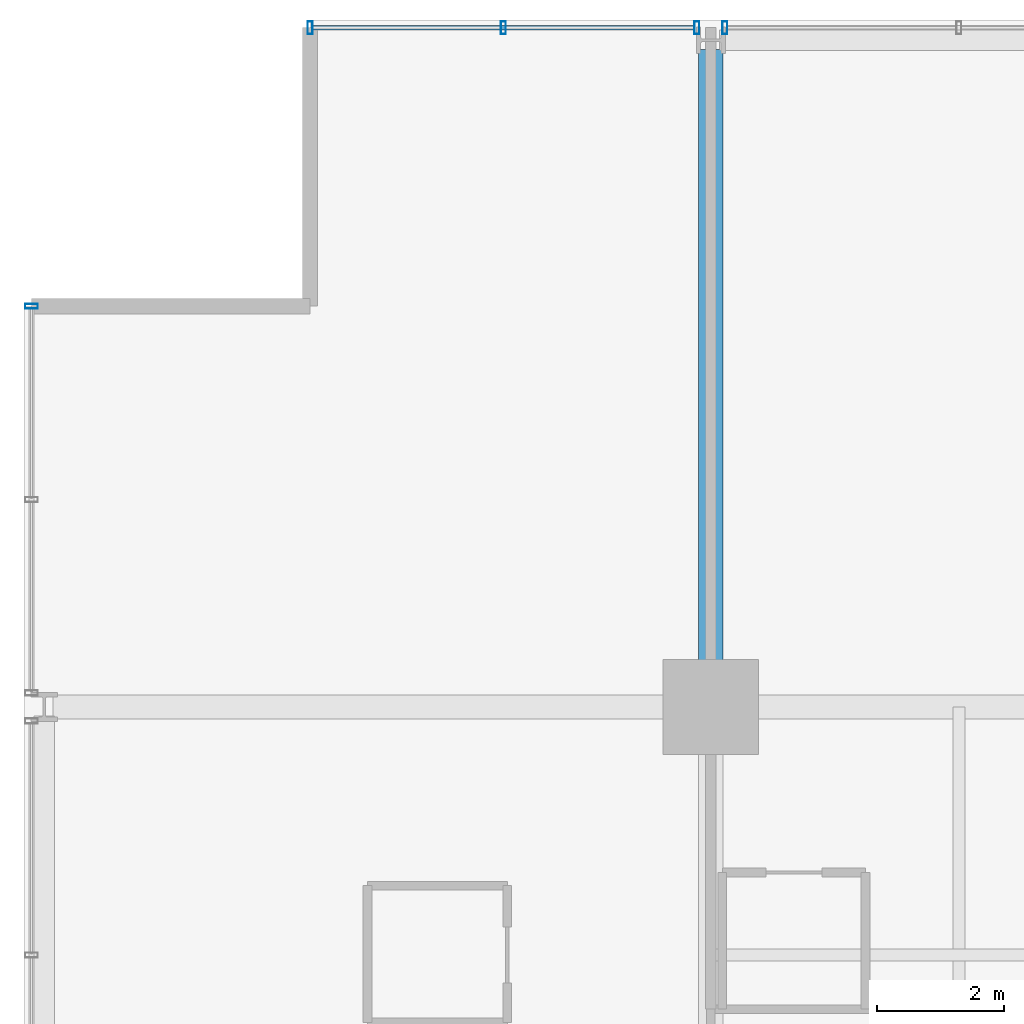
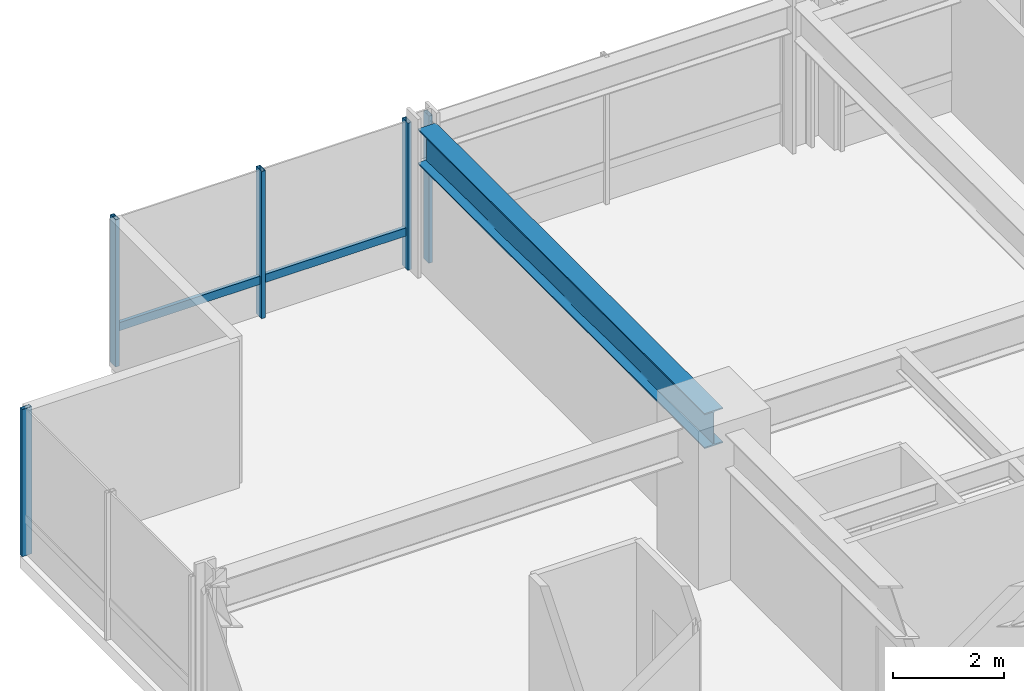
# One storey, part 20 of 34: 6 members, 1 beam, 3 elements without a shape of their own.
"""IFC4 building model written with IfcOpenShell, lengths in metres."""

from ifc_helpers import new_model, si_unit, direction, frame, origin, origin_2d, place, context, subcontext, project, spatial, hollow_rectangle, i_section, extrude, material, layer, layer_set, material_profile, profile_set, type_object, element, aggregate, save


model = new_model("IFC4")

# Units and contexts
model_context = context("Model", 3, precision=1e-05, world=origin(), true_north=direction((0.0, 1.0)))
body_context = subcontext(model_context, "Body", "Model", "MODEL_VIEW")
ifc_project = project(units=[si_unit("LENGTHUNIT", "METRE"), si_unit("AREAUNIT", "SQUARE_METRE"), si_unit("VOLUMEUNIT", "CUBIC_METRE"), si_unit("PLANEANGLEUNIT", "RADIAN"), si_unit("MASSUNIT", "GRAM", prefix="KILO")], contexts=[model_context])

# Site, building, storey
site_placement = place(None, origin())
site = spatial("IfcSite", under=ifc_project, at=site_placement, CompositionType="ELEMENT")
building_placement = place(site_placement, origin())
building = spatial("IfcBuilding", under=site, at=building_placement, Name="Drelvath Grand Hotel", CompositionType="ELEMENT")
storey_placement = place(building_placement, frame((0.0, 0.0, 112.800048828125)))
storey = spatial("IfcBuildingStorey", under=building, at=storey_placement, Name="L28", CompositionType="ELEMENT", Elevation=112.800048828125)

# Curtain wall, member
ifc_material_1 = material(Name="Champagne Bronze Anodised Aluminium Frame", Category="aluminium")
ifc_layer = layer(ifc_material_1, 0.199951171875)
ifc_layer_set = layer_set([ifc_layer], Name="Champagne Bronze Anodised Aluminium Frame")
curtain_wall_type = type_object("IfcCurtainWallType", Name="Stick Curtain Wall CW-03 Champagne Bronze Mid-Rise", PredefinedType="NOTDEFINED", material=ifc_layer_set)
curtain_wall_1_placement = place(storey_placement, origin())
curtain_wall_1 = element("IfcCurtainWall", 1, at=curtain_wall_1_placement, inside=storey, type_object=curtain_wall_type, Name="L28 CW-03 Curtain Wall CW03-L28-NW1", PredefinedType="NOTDEFINED")
ifc_material_profile_1 = material_profile(ifc_material_1, hollow_rectangle(XDim=0.074951171875, YDim=0.179931640625, WallThickness=0.0048828125, at=origin_2d()), Name="HSS180X75X5")
ifc_profile_set_1 = profile_set([ifc_material_profile_1], Name="Champagne Bronze Anodised Aluminium Frame")
member_type_1 = type_object("IfcMemberType", Name="Curtain Wall Horizontal Transom CW-03 HSS180X75X5", PredefinedType="USERDEFINED", material=ifc_profile_set_1)
member_1_placement = place(storey_placement, frame((-22.4599609375, 53.8798828125, 0.81005859375), z_axis=(1.0, 0.0, 0.0), x_axis=(0.0, 1.0, 0.0)))
member_1 = element("IfcMember", 2, at=member_1_placement, type_object=member_type_1, Name="CW03-L28-NW1 Sill Transom", ObjectType="TRANSOM", PredefinedType="USERDEFINED", context=body_context, shape_type="SweptSolid", body=[
    extrude(hollow_rectangle(XDim=0.074951171875, YDim=0.179931640625, WallThickness=0.0048828125, at=origin_2d()), origin(), (0.0, 0.0, 1.0), 6.000244140625),
])

curtain_wall_2_placement = place(storey_placement, origin())
curtain_wall_2 = element("IfcCurtainWall", 3, at=curtain_wall_2_placement, inside=storey, type_object=curtain_wall_type, Name="L28 CW-03 Curtain Wall CW03-L28-WN3", PredefinedType="NOTDEFINED")
ifc_material_profile_2 = material_profile(ifc_material_1, hollow_rectangle(XDim=0.080078125, YDim=0.199951171875, WallThickness=0.0048828125, at=origin_2d()), Name="HSS200X80X5")
ifc_profile_set_2 = profile_set([ifc_material_profile_2], Name="Champagne Bronze Anodised Aluminium Frame")
member_type_2 = type_object("IfcMemberType", Name="Curtain Wall Vertical Mullion CW-03 HSS200X80X5", PredefinedType="MULLION", material=ifc_profile_set_2)
member_2_placement = place(storey_placement, frame((-26.8798828125, 49.5, 0.0), z_axis=(0.0, 0.0, 1.0), x_axis=(0.0, 1.0, 0.0)))
member_2 = element("IfcMember", 4, at=member_2_placement, type_object=member_type_2, Name="CW03-L28-WN3 Mullion 3", PredefinedType="MULLION", context=body_context, shape_type="SweptSolid", body=[
    extrude(hollow_rectangle(XDim=0.080078125, YDim=0.199951171875, WallThickness=0.0048828125, at=origin_2d()), origin(), (0.0, 0.0, 1.0), 3.239990234375),
])
aggregate(curtain_wall_2, [member_2])

# Member
member_3_placement = place(storey_placement, frame((-22.5, 53.8798828125, 0.0), z_axis=(0.0, 0.0, 1.0), x_axis=(1.0, 0.0, 0.0)))
member_3 = element("IfcMember", 5, at=member_3_placement, type_object=member_type_2, Name="CW03-L28-NW1 Mullion 1", PredefinedType="MULLION", context=body_context, shape_type="SweptSolid", body=[
    extrude(hollow_rectangle(XDim=0.080078125, YDim=0.199951171875, WallThickness=0.0048828125, at=origin_2d()), origin(), (0.0, 0.0, 1.0), 3.239990234375),
])

member_4_placement = place(storey_placement, frame((-19.459716796875, 53.8798828125, 0.0), z_axis=(0.0, 0.0, 1.0), x_axis=(1.0, 0.0, 0.0)))
member_4 = element("IfcMember", 6, at=member_4_placement, type_object=member_type_2, Name="CW03-L28-NW1 Mullion 2", PredefinedType="MULLION", context=body_context, shape_type="SweptSolid", body=[
    extrude(hollow_rectangle(XDim=0.080078125, YDim=0.199951171875, WallThickness=0.0048828125, at=origin_2d()), origin(), (0.0, 0.0, 1.0), 3.239990234375),
])

member_5_placement = place(storey_placement, frame((-16.419677734375, 53.8798828125, 0.0), z_axis=(0.0, 0.0, 1.0), x_axis=(1.0, 0.0, 0.0)))
member_5 = element("IfcMember", 7, at=member_5_placement, type_object=member_type_2, Name="CW03-L28-NW1 Mullion 3", PredefinedType="MULLION", context=body_context, shape_type="SweptSolid", body=[
    extrude(hollow_rectangle(XDim=0.080078125, YDim=0.199951171875, WallThickness=0.0048828125, at=origin_2d()), origin(), (0.0, 0.0, 1.0), 3.239990234375),
])

aggregate(curtain_wall_1, [member_3, member_4, member_5, member_1])

# Curtain wall, member
curtain_wall_3_placement = place(storey_placement, origin())
curtain_wall_3 = element("IfcCurtainWall", 8, at=curtain_wall_3_placement, inside=storey, type_object=curtain_wall_type, Name="L28 CW-03 Curtain Wall CW03-L28-NW2", PredefinedType="NOTDEFINED")
member_6_placement = place(storey_placement, frame((-15.98046875, 53.8798828125, 0.0), z_axis=(0.0, 0.0, 1.0), x_axis=(1.0, 0.0, 0.0)))
member_6 = element("IfcMember", 9, at=member_6_placement, type_object=member_type_2, Name="CW03-L28-NW2 Mullion 1", PredefinedType="MULLION", context=body_context, shape_type="SweptSolid", body=[
    extrude(hollow_rectangle(XDim=0.080078125, YDim=0.199951171875, WallThickness=0.0048828125, at=origin_2d()), origin(), (0.0, 0.0, 1.0), 3.239990234375),
])
aggregate(curtain_wall_3, [member_6])

# Beam
ifc_material_2 = material(Name="Steel ASTM A992 Gr 50", Category="steel")
ifc_material_profile_3 = material_profile(ifc_material_2, i_section(OverallWidth=0.380615234375, OverallDepth=0.773193359375, WebThickness=0.0166015625, FlangeThickness=0.027099609375, FilletRadius=0.02490234375, at=origin_2d()), Name="W30X173")
ifc_profile_set_3 = profile_set([ifc_material_profile_3], Name="Steel ASTM A992 Gr 50")
beam_type = type_object("IfcBeamType", Name="Primary Floor Girder W30X173", PredefinedType="BEAM", material=ifc_profile_set_3)
beam_placement = place(storey_placement, frame((-16.199951171875, 43.199951171875, 2.853271484375), z_axis=(0.0, 1.0, 0.0), x_axis=(-1.0, 0.0, 0.0)))
element("IfcBeam", 10, at=beam_placement, inside=storey, type_object=beam_type, Name="L28 North Grid Girder 3", PredefinedType="BEAM", context=body_context, shape_type="SweptSolid", body=[
    extrude(i_section(OverallWidth=0.380615234375, OverallDepth=0.773193359375, WebThickness=0.0166015625, FlangeThickness=0.027099609375, FilletRadius=0.02490234375, at=origin_2d()), origin(), (0.0, 0.0, 1.0), 10.340087890625),
])

save(model, "model.ifc")
